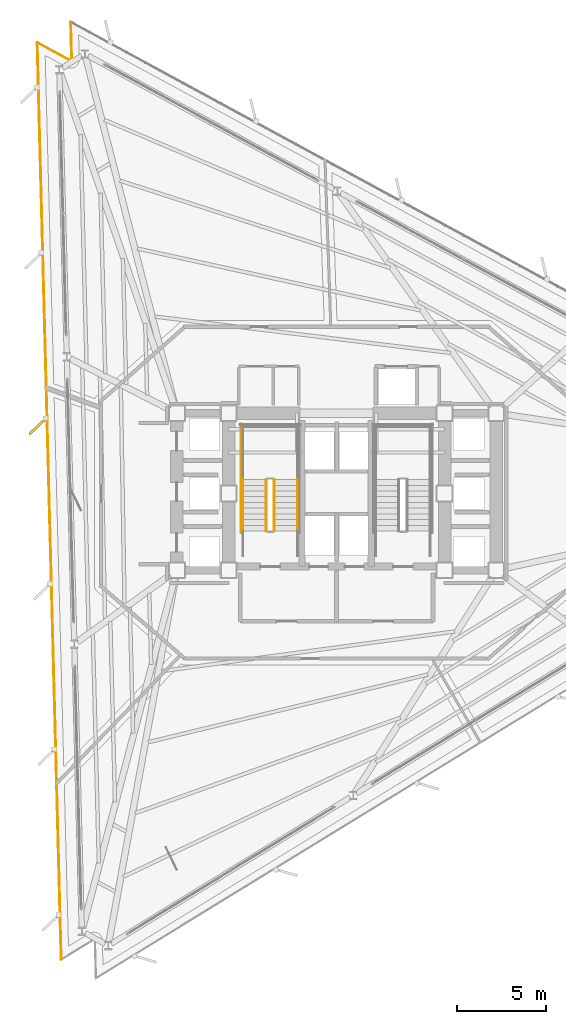
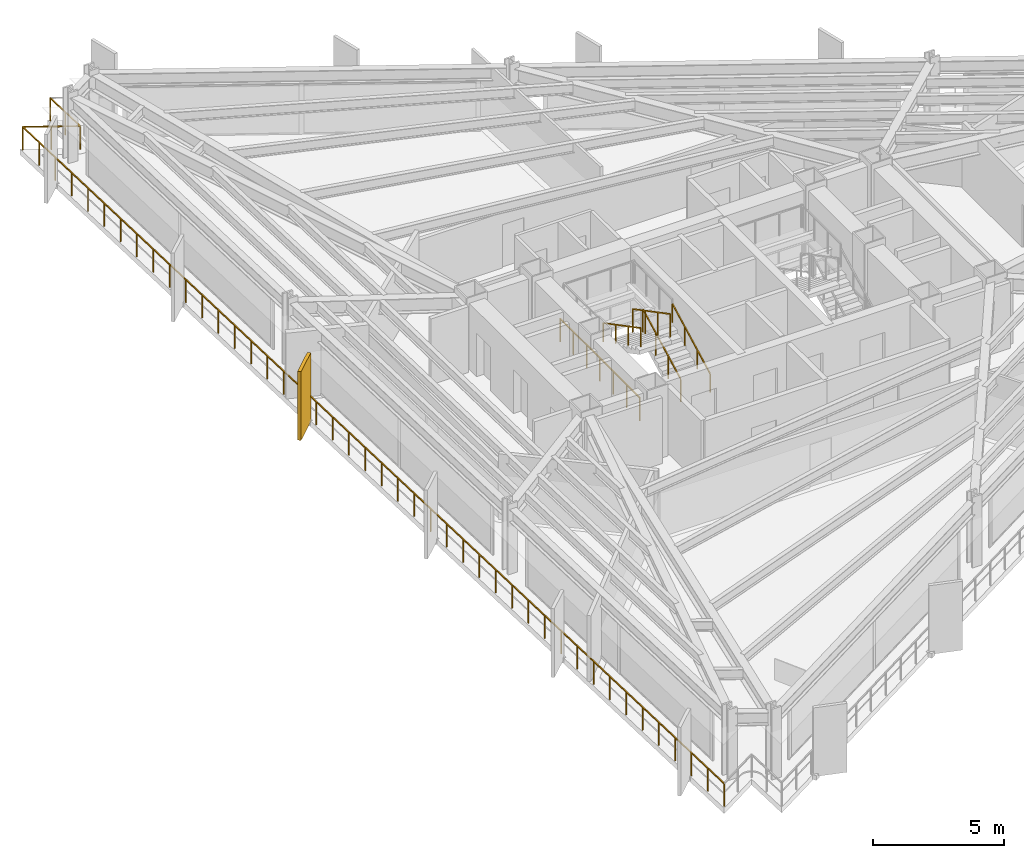
# One storey, part 12 of 14: 6 railings, 1 shading device.
"""IFC4 building model written with IfcOpenShell, lengths in metres."""

from ifc_helpers import new_model, si_unit, direction, frame, origin, origin_2d, place, context, subcontext, project, spatial, rectangle, extrude, material, layer, layer_set, type_object, element, save


model = new_model("IFC4")

# Units and contexts
model_context = context("Model", 3, precision=1e-05, world=origin(), true_north=direction((0.0, 1.0)))
body_context = subcontext(model_context, "Body", "Model", "MODEL_VIEW")
ifc_project = project(units=[si_unit("LENGTHUNIT", "METRE"), si_unit("AREAUNIT", "SQUARE_METRE"), si_unit("VOLUMEUNIT", "CUBIC_METRE"), si_unit("PLANEANGLEUNIT", "RADIAN"), si_unit("MASSUNIT", "GRAM", prefix="KILO")], contexts=[model_context])

# Site, building, storey
site_placement = place(None, origin())
site = spatial("IfcSite", under=ifc_project, at=site_placement, CompositionType="ELEMENT")
building_placement = place(site_placement, origin())
building = spatial("IfcBuilding", under=site, at=building_placement, Name="Rocaltana Carrier Exchange", CompositionType="ELEMENT")
storey_placement = place(building_placement, frame((0.0, 0.0, 39.0400390625)))
storey = spatial("IfcBuildingStorey", under=building, at=storey_placement, Name="L12", CompositionType="ELEMENT", Elevation=39.0400390625)

# Railings
ifc_material_1 = material(Name="Brushed Architectural Stainless Tube", Category="steel")
ifc_layer_1 = layer(ifc_material_1, 0.048095703125)
ifc_layer_set_1 = layer_set([ifc_layer_1], Name="Brushed Architectural Stainless Tube")
railing_type_1 = type_object("IfcRailingType", Name="Stair Wall Handrail 920", PredefinedType="HANDRAIL", material=ifc_layer_set_1)
railing_1_placement = place(storey_placement, frame((-2.18994140625, -2.10009765625, 0.16796875)))
element("IfcRailing", 1, at=railing_1_placement, inside=storey, type_object=railing_type_1, Name="L12 ST-1 stair handrail 1", PredefinedType="HANDRAIL", context=body_context, shape_type="SweptSolid", body=[
    extrude(rectangle(XDim=0.048095703125, YDim=0.048095703125, at=origin_2d()), frame((0.0, 0.0, 0.8759765625), z_axis=(0.0, 0.885411030485, 0.464808893091), x_axis=(-1.0, 0.0, 0.0)), (0.0, 0.0, 1.0), 3.2529296875),
    extrude(rectangle(XDim=0.0419921875, YDim=0.0419921875, at=origin_2d()), origin(), (0.0, 0.0, 1.0), 0.851806640625),
    extrude(rectangle(XDim=0.0419921875, YDim=0.0419921875, at=origin_2d()), frame((0.0, 0.9599609375, 0.50390625)), (0.0, 0.0, 1.0), 0.851806640625),
    extrude(rectangle(XDim=0.0419921875, YDim=0.0419921875, at=origin_2d()), frame((0.0, 1.920166015625, 1.008056640625)), (0.0, 0.0, 1.0), 0.851806640625),
    extrude(rectangle(XDim=0.0419921875, YDim=0.0419921875, at=origin_2d()), frame((0.0, 2.880126953125, 1.511962890625)), (0.0, 0.0, 1.0), 0.851806640625),
])
railing_2_placement = place(storey_placement, frame((-5.25, 0.780029296875, 1.847900390625)))
element("IfcRailing", 2, at=railing_2_placement, inside=storey, type_object=railing_type_1, Name="L12 ST-1 stair handrail 2", PredefinedType="HANDRAIL", context=body_context, shape_type="SweptSolid", body=[
    extrude(rectangle(XDim=0.048095703125, YDim=0.048095703125, at=origin_2d()), frame((0.0, 0.0, 0.8759765625), z_axis=(0.0, -0.885411030485, 0.464808893091), x_axis=(1.0, 0.0, 0.0)), (0.0, 0.0, 1.0), 3.2529296875),
    extrude(rectangle(XDim=0.0419921875, YDim=0.0419921875, at=origin_2d()), origin(), (0.0, 0.0, 1.0), 0.851806640625),
    extrude(rectangle(XDim=0.0419921875, YDim=0.0419921875, at=origin_2d()), frame((0.0, -0.9599609375, 0.50390625)), (0.0, 0.0, 1.0), 0.851806640625),
    extrude(rectangle(XDim=0.0419921875, YDim=0.0419921875, at=origin_2d()), frame((0.0, -1.920166015625, 1.008056640625)), (0.0, 0.0, 1.0), 0.851806640625),
    extrude(rectangle(XDim=0.0419921875, YDim=0.0419921875, at=origin_2d()), frame((0.0, -2.880126953125, 1.511962890625)), (0.0, 0.0, 1.0), 0.851806640625),
])
ifc_material_2 = material(Name="Powder-Coated Aluminium 6063-T6", Category="aluminium")
ifc_layer_2 = layer(ifc_material_2, 0.048095703125)
ifc_layer_set_2 = layer_set([ifc_layer_2], Name="Powder-Coated Aluminium 6063-T6")
railing_type_2 = type_object("IfcRailingType", Name="Stair Well Guardrail 1100", PredefinedType="GUARDRAIL", material=ifc_layer_set_2)
railing_3_placement = place(storey_placement, frame((-3.489990234375, -2.10009765625, 0.16796875)))
element("IfcRailing", 3, at=railing_3_placement, inside=storey, type_object=railing_type_2, Name="L12 ST-1 stair guard 1", PredefinedType="GUARDRAIL", context=body_context, shape_type="SweptSolid", body=[
    extrude(rectangle(XDim=0.048095703125, YDim=0.048095703125, at=origin_2d()), frame((0.0, 0.0, 1.076171875), z_axis=(0.0, 0.885411030485, 0.464808893091), x_axis=(-1.0, 0.0, 0.0)), (0.0, 0.0, 1.0), 3.2529296875),
    extrude(rectangle(XDim=0.0419921875, YDim=0.0419921875, at=origin_2d()), origin(), (0.0, 0.0, 1.0), 1.052001953125),
    extrude(rectangle(XDim=0.0419921875, YDim=0.0419921875, at=origin_2d()), frame((0.0, 0.9599609375, 0.50390625)), (0.0, 0.0, 1.0), 1.052001953125),
    extrude(rectangle(XDim=0.0419921875, YDim=0.0419921875, at=origin_2d()), frame((0.0, 1.920166015625, 1.008056640625)), (0.0, 0.0, 1.0), 1.052001953125),
    extrude(rectangle(XDim=0.0419921875, YDim=0.0419921875, at=origin_2d()), frame((0.0, 2.880126953125, 1.511962890625)), (0.0, 0.0, 1.0), 1.052001953125),
])
railing_4_placement = place(storey_placement, frame((-3.949951171875, 0.780029296875, 1.847900390625)))
element("IfcRailing", 4, at=railing_4_placement, inside=storey, type_object=railing_type_2, Name="L12 ST-1 stair guard 6", PredefinedType="GUARDRAIL", context=body_context, shape_type="SweptSolid", body=[
    extrude(rectangle(XDim=0.048095703125, YDim=0.048095703125, at=origin_2d()), frame((0.0, 0.0, 1.076171875), z_axis=(0.0, -0.885411030485, 0.464808893091), x_axis=(1.0, 0.0, 0.0)), (0.0, 0.0, 1.0), 3.2529296875),
    extrude(rectangle(XDim=0.0419921875, YDim=0.0419921875, at=origin_2d()), origin(), (0.0, 0.0, 1.0), 1.052001953125),
    extrude(rectangle(XDim=0.0419921875, YDim=0.0419921875, at=origin_2d()), frame((0.0, -0.9599609375, 0.50390625)), (0.0, 0.0, 1.0), 1.052001953125),
    extrude(rectangle(XDim=0.0419921875, YDim=0.0419921875, at=origin_2d()), frame((0.0, -1.920166015625, 1.008056640625)), (0.0, 0.0, 1.0), 1.052001953125),
    extrude(rectangle(XDim=0.0419921875, YDim=0.0419921875, at=origin_2d()), frame((0.0, -2.880126953125, 1.511962890625)), (0.0, 0.0, 1.0), 1.052001953125),
])
railing_5_placement = place(storey_placement, frame((-5.35009765625, -2.199951171875, 0.0)))
element("IfcRailing", 5, at=railing_5_placement, inside=storey, type_object=railing_type_2, Name="L12 ST-1 stair guard 11", PredefinedType="GUARDRAIL", context=body_context, shape_type="SweptSolid", body=[
    extrude(rectangle(XDim=0.048095703125, YDim=0.048095703125, at=origin_2d()), frame((0.0, 0.0, 1.076171875), z_axis=(0.0, 1.0, 0.0), x_axis=(-1.0, 0.0, 0.0)), (0.0, 0.0, 1.0), 6.099853515625),
    extrude(rectangle(XDim=0.0419921875, YDim=0.0419921875, at=origin_2d()), origin(), (0.0, 0.0, 1.0), 1.052001953125),
    extrude(rectangle(XDim=0.0419921875, YDim=0.0419921875, at=origin_2d()), frame((0.0, 1.0166015625, 0.0)), (0.0, 0.0, 1.0), 1.052001953125),
    extrude(rectangle(XDim=0.0419921875, YDim=0.0419921875, at=origin_2d()), frame((0.0, 2.033203125, 0.0)), (0.0, 0.0, 1.0), 1.052001953125),
    extrude(rectangle(XDim=0.0419921875, YDim=0.0419921875, at=origin_2d()), frame((0.0, 3.0498046875, 0.0)), (0.0, 0.0, 1.0), 1.052001953125),
    extrude(rectangle(XDim=0.0419921875, YDim=0.0419921875, at=origin_2d()), frame((0.0, 4.066650390625, 0.0)), (0.0, 0.0, 1.0), 1.052001953125),
    extrude(rectangle(XDim=0.0419921875, YDim=0.0419921875, at=origin_2d()), frame((0.0, 5.083251953125, 0.0)), (0.0, 0.0, 1.0), 1.052001953125),
    extrude(rectangle(XDim=0.0419921875, YDim=0.0419921875, at=origin_2d()), frame((0.0, 6.099853515625, 0.0)), (0.0, 0.0, 1.0), 1.052001953125),
])

# Shading device
ifc_material_3 = material(Name="Honed Bogota Sandstone & Concrete C45/55", Category="masonry")
ifc_layer_3 = layer(ifc_material_3, 0.139892578125)
ifc_layer_set_3 = layer_set([ifc_layer_3], Name="Honed Bogota Sandstone & Concrete C45/55")
shading_device_type = type_object("IfcShadingDeviceType", Name="Vertical Sandstone Shading Fin 1320x140", PredefinedType="USERDEFINED", material=ifc_layer_set_3)
shading_device_placement = place(storey_placement, frame((-16.7314453125, 3.78857421875, -0.1201171875), z_axis=(0.0, 0.0, 1.0), x_axis=(-0.725374371012, -0.688354575694, 0.0)))
element("IfcShadingDevice", 6, at=shading_device_placement, inside=storey, type_object=shading_device_type, Name="L12 Sandstone Vertical Fin F2-03", ObjectType="FIN", PredefinedType="USERDEFINED", context=body_context, shape_type="SweptSolid", body=[
    extrude(rectangle(XDim=1.320068359375, YDim=0.139892578125, at=origin_2d()), origin(), (0.0, 0.0, 1.0), 3.218017578125),
])

# Railing
ifc_material_4 = material(Name="Powder-Coated Aluminium 6063-T6", Category="aluminium")
ifc_layer_4 = layer(ifc_material_4, 0.06005859375)
ifc_layer_set_4 = layer_set([ifc_layer_4], Name="Powder-Coated Aluminium 6063-T6")
railing_type_3 = type_object("IfcRailingType", Name="Wind-Floor & Terrace Perimeter Guardrail 1100", PredefinedType="GUARDRAIL", material=ifc_layer_set_4)
railing_6_placement = place(storey_placement, frame((-15.427490234375, -26.10888671875, 0.0)))
element("IfcRailing", 7, at=railing_6_placement, inside=storey, type_object=railing_type_3, Name="L12 Perimeter Balcony Guardrail 2", PredefinedType="GUARDRAIL", context=body_context, shape_type="SweptSolid", body=[
    extrude(rectangle(XDim=0.048095703125, YDim=0.048095703125, at=origin_2d()), frame((0.0, 0.0, 1.076171875), z_axis=(-0.02618025491, 0.999657238384, 0.0), x_axis=(-0.999657238384, -0.02618025491, 0.0)), (0.0, 0.0, 1.0), 51.39208984375),
    extrude(rectangle(XDim=0.048095703125, YDim=0.048095703125, at=origin_2d()), frame((-1.345458984375, 51.37451171875, 1.076171875), z_axis=(0.878801578058, -0.477187370331, 0.0), x_axis=(0.477187370331, 0.878801578058, 0.0)), (0.0, 0.0, 1.0), 2.199951171875),
    extrude(rectangle(XDim=0.048095703125, YDim=0.048095703125, at=origin_2d()), frame((0.587890625, 50.32470703125, 1.076171875), z_axis=(-0.026187042546, 0.999657060598, 0.0), x_axis=(-0.999657060598, -0.026187042546, 0.0)), (0.0, 0.0, 1.0), 2.2001953125),
    extrude(rectangle(XDim=0.0419921875, YDim=0.0419921875, at=origin_2d()), origin(), (0.0, 0.0, 1.0), 1.052001953125),
    extrude(rectangle(XDim=0.0419921875, YDim=0.0419921875, at=origin_2d()), frame((-0.03125, 1.19482421875, 0.0)), (0.0, 0.0, 1.0), 1.052001953125),
    extrude(rectangle(XDim=0.0419921875, YDim=0.0419921875, at=origin_2d()), frame((-0.0625, 2.389404296875, 0.0)), (0.0, 0.0, 1.0), 1.052001953125),
    extrude(rectangle(XDim=0.0419921875, YDim=0.0419921875, at=origin_2d()), frame((-0.09375, 3.584228515625, 0.0)), (0.0, 0.0, 1.0), 1.052001953125),
    extrude(rectangle(XDim=0.0419921875, YDim=0.0419921875, at=origin_2d()), frame((-0.125244140625, 4.779052734375, 0.0)), (0.0, 0.0, 1.0), 1.052001953125),
    extrude(rectangle(XDim=0.0419921875, YDim=0.0419921875, at=origin_2d()), frame((-0.156494140625, 5.973876953125, 0.0)), (0.0, 0.0, 1.0), 1.052001953125),
    extrude(rectangle(XDim=0.0419921875, YDim=0.0419921875, at=origin_2d()), frame((-0.187744140625, 7.16845703125, 0.0)), (0.0, 0.0, 1.0), 1.052001953125),
    extrude(rectangle(XDim=0.0419921875, YDim=0.0419921875, at=origin_2d()), frame((-0.218994140625, 8.36328125, 0.0)), (0.0, 0.0, 1.0), 1.052001953125),
    extrude(rectangle(XDim=0.0419921875, YDim=0.0419921875, at=origin_2d()), frame((-0.250244140625, 9.55810546875, 0.0)), (0.0, 0.0, 1.0), 1.052001953125),
    extrude(rectangle(XDim=0.0419921875, YDim=0.0419921875, at=origin_2d()), frame((-0.281494140625, 10.752685546875, 0.0)), (0.0, 0.0, 1.0), 1.052001953125),
    extrude(rectangle(XDim=0.0419921875, YDim=0.0419921875, at=origin_2d()), frame((-0.31298828125, 11.947509765625, 0.0)), (0.0, 0.0, 1.0), 1.052001953125),
    extrude(rectangle(XDim=0.0419921875, YDim=0.0419921875, at=origin_2d()), frame((-0.34423828125, 13.142333984375, 0.0)), (0.0, 0.0, 1.0), 1.052001953125),
    extrude(rectangle(XDim=0.0419921875, YDim=0.0419921875, at=origin_2d()), frame((-0.37548828125, 14.337158203125, 0.0)), (0.0, 0.0, 1.0), 1.052001953125),
    extrude(rectangle(XDim=0.0419921875, YDim=0.0419921875, at=origin_2d()), frame((-0.40673828125, 15.53173828125, 0.0)), (0.0, 0.0, 1.0), 1.052001953125),
    extrude(rectangle(XDim=0.0419921875, YDim=0.0419921875, at=origin_2d()), frame((-0.43798828125, 16.7265625, 0.0)), (0.0, 0.0, 1.0), 1.052001953125),
    extrude(rectangle(XDim=0.0419921875, YDim=0.0419921875, at=origin_2d()), frame((-0.46923828125, 17.92138671875, 0.0)), (0.0, 0.0, 1.0), 1.052001953125),
    extrude(rectangle(XDim=0.0419921875, YDim=0.0419921875, at=origin_2d()), frame((-0.500732421875, 19.1162109375, 0.0)), (0.0, 0.0, 1.0), 1.052001953125),
    extrude(rectangle(XDim=0.0419921875, YDim=0.0419921875, at=origin_2d()), frame((-0.531982421875, 20.310791015625, 0.0)), (0.0, 0.0, 1.0), 1.052001953125),
    extrude(rectangle(XDim=0.0419921875, YDim=0.0419921875, at=origin_2d()), frame((-0.563232421875, 21.505615234375, 0.0)), (0.0, 0.0, 1.0), 1.052001953125),
    extrude(rectangle(XDim=0.0419921875, YDim=0.0419921875, at=origin_2d()), frame((-0.594482421875, 22.700439453125, 0.0)), (0.0, 0.0, 1.0), 1.052001953125),
    extrude(rectangle(XDim=0.0419921875, YDim=0.0419921875, at=origin_2d()), frame((-0.625732421875, 23.89501953125, 0.0)), (0.0, 0.0, 1.0), 1.052001953125),
    extrude(rectangle(XDim=0.0419921875, YDim=0.0419921875, at=origin_2d()), frame((-0.656982421875, 25.08984375, 0.0)), (0.0, 0.0, 1.0), 1.052001953125),
    extrude(rectangle(XDim=0.0419921875, YDim=0.0419921875, at=origin_2d()), frame((-0.6884765625, 26.28466796875, 0.0)), (0.0, 0.0, 1.0), 1.052001953125),
    extrude(rectangle(XDim=0.0419921875, YDim=0.0419921875, at=origin_2d()), frame((-0.7197265625, 27.4794921875, 0.0)), (0.0, 0.0, 1.0), 1.052001953125),
    extrude(rectangle(XDim=0.0419921875, YDim=0.0419921875, at=origin_2d()), frame((-0.7509765625, 28.674072265625, 0.0)), (0.0, 0.0, 1.0), 1.052001953125),
    extrude(rectangle(XDim=0.0419921875, YDim=0.0419921875, at=origin_2d()), frame((-0.7822265625, 29.868896484375, 0.0)), (0.0, 0.0, 1.0), 1.052001953125),
    extrude(rectangle(XDim=0.0419921875, YDim=0.0419921875, at=origin_2d()), frame((-0.8134765625, 31.063720703125, 0.0)), (0.0, 0.0, 1.0), 1.052001953125),
    extrude(rectangle(XDim=0.0419921875, YDim=0.0419921875, at=origin_2d()), frame((-0.8447265625, 32.25830078125, 0.0)), (0.0, 0.0, 1.0), 1.052001953125),
    extrude(rectangle(XDim=0.0419921875, YDim=0.0419921875, at=origin_2d()), frame((-0.876220703125, 33.453125, 0.0)), (0.0, 0.0, 1.0), 1.052001953125),
    extrude(rectangle(XDim=0.0419921875, YDim=0.0419921875, at=origin_2d()), frame((-0.907470703125, 34.64794921875, 0.0)), (0.0, 0.0, 1.0), 1.052001953125),
    extrude(rectangle(XDim=0.0419921875, YDim=0.0419921875, at=origin_2d()), frame((-0.938720703125, 35.8427734375, 0.0)), (0.0, 0.0, 1.0), 1.052001953125),
    extrude(rectangle(XDim=0.0419921875, YDim=0.0419921875, at=origin_2d()), frame((-0.969970703125, 37.037353515625, 0.0)), (0.0, 0.0, 1.0), 1.052001953125),
    extrude(rectangle(XDim=0.0419921875, YDim=0.0419921875, at=origin_2d()), frame((-1.001220703125, 38.232177734375, 0.0)), (0.0, 0.0, 1.0), 1.052001953125),
    extrude(rectangle(XDim=0.0419921875, YDim=0.0419921875, at=origin_2d()), frame((-1.032470703125, 39.427001953125, 0.0)), (0.0, 0.0, 1.0), 1.052001953125),
    extrude(rectangle(XDim=0.0419921875, YDim=0.0419921875, at=origin_2d()), frame((-1.06396484375, 40.621826171875, 0.0)), (0.0, 0.0, 1.0), 1.052001953125),
    extrude(rectangle(XDim=0.0419921875, YDim=0.0419921875, at=origin_2d()), frame((-1.09521484375, 41.81640625, 0.0)), (0.0, 0.0, 1.0), 1.052001953125),
    extrude(rectangle(XDim=0.0419921875, YDim=0.0419921875, at=origin_2d()), frame((-1.12646484375, 43.01123046875, 0.0)), (0.0, 0.0, 1.0), 1.052001953125),
    extrude(rectangle(XDim=0.0419921875, YDim=0.0419921875, at=origin_2d()), frame((-1.15771484375, 44.2060546875, 0.0)), (0.0, 0.0, 1.0), 1.052001953125),
    extrude(rectangle(XDim=0.0419921875, YDim=0.0419921875, at=origin_2d()), frame((-1.18896484375, 45.400634765625, 0.0)), (0.0, 0.0, 1.0), 1.052001953125),
    extrude(rectangle(XDim=0.0419921875, YDim=0.0419921875, at=origin_2d()), frame((-1.22021484375, 46.595458984375, 0.0)), (0.0, 0.0, 1.0), 1.052001953125),
    extrude(rectangle(XDim=0.0419921875, YDim=0.0419921875, at=origin_2d()), frame((-1.251708984375, 47.790283203125, 0.0)), (0.0, 0.0, 1.0), 1.052001953125),
    extrude(rectangle(XDim=0.0419921875, YDim=0.0419921875, at=origin_2d()), frame((-1.282958984375, 48.985107421875, 0.0)), (0.0, 0.0, 1.0), 1.052001953125),
    extrude(rectangle(XDim=0.0419921875, YDim=0.0419921875, at=origin_2d()), frame((-1.314208984375, 50.1796875, 0.0)), (0.0, 0.0, 1.0), 1.052001953125),
    extrude(rectangle(XDim=0.0419921875, YDim=0.0419921875, at=origin_2d()), frame((-1.345458984375, 51.37451171875, 0.0)), (0.0, 0.0, 1.0), 1.052001953125),
    extrude(rectangle(XDim=0.0419921875, YDim=0.0419921875, at=origin_2d()), frame((-0.37890625, 50.849609375, 0.0)), (0.0, 0.0, 1.0), 1.052001953125),
    extrude(rectangle(XDim=0.0419921875, YDim=0.0419921875, at=origin_2d()), frame((0.587890625, 50.32470703125, 0.0)), (0.0, 0.0, 1.0), 1.052001953125),
    extrude(rectangle(XDim=0.0419921875, YDim=0.0419921875, at=origin_2d()), frame((0.55908203125, 51.42431640625, 0.0)), (0.0, 0.0, 1.0), 1.052001953125),
    extrude(rectangle(XDim=0.0419921875, YDim=0.0419921875, at=origin_2d()), frame((0.5302734375, 52.524169921875, 0.0)), (0.0, 0.0, 1.0), 1.052001953125),
])

save(model, "model.ifc")
